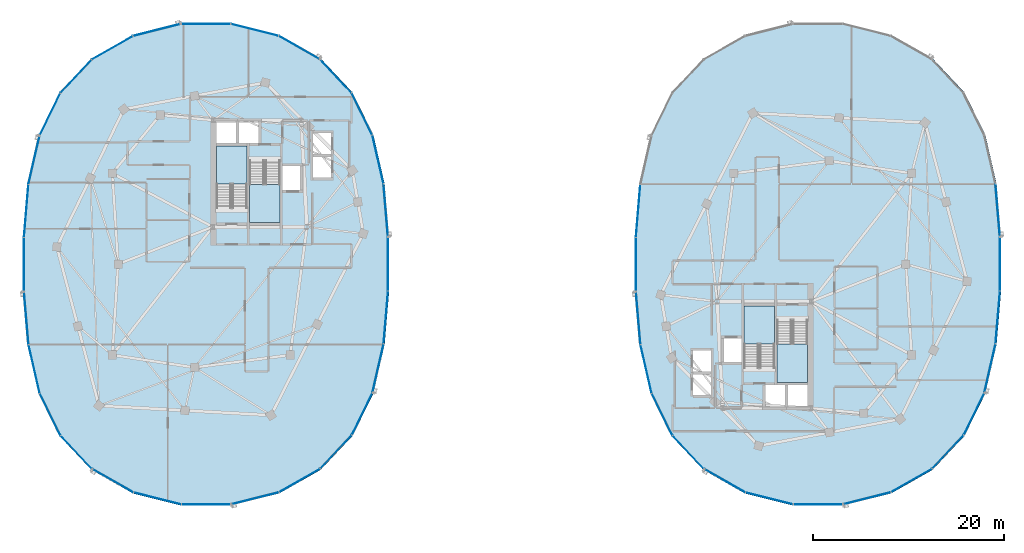
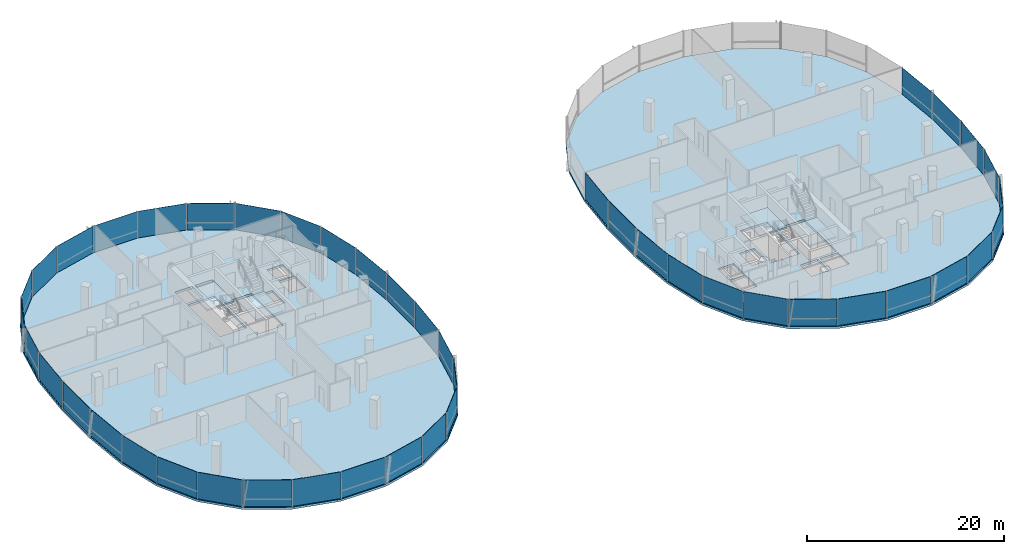
# One storey, part 13 of 25: 45 plates, 6 slabs, 12 elements without a shape of their own.
"""IFC4 building model written with IfcOpenShell, lengths in metres."""

from ifc_helpers import new_model, si_unit, direction, frame, origin, origin_2d, place, context, subcontext, project, spatial, polyline, rectangle, outline, extrude, material, layer, layer_set, type_object, element, aggregate, save


model = new_model("IFC4")

# Units and contexts
model_context = context("Model", 3, precision=1e-05, world=origin(), true_north=direction((0.0, 1.0)))
body_context = subcontext(model_context, "Body", "Model", "MODEL_VIEW")
ifc_project = project(units=[si_unit("LENGTHUNIT", "METRE"), si_unit("AREAUNIT", "SQUARE_METRE"), si_unit("VOLUMEUNIT", "CUBIC_METRE"), si_unit("PLANEANGLEUNIT", "RADIAN"), si_unit("MASSUNIT", "GRAM", prefix="KILO"), si_unit("THERMODYNAMICTEMPERATUREUNIT", "KELVIN"), si_unit("POWERUNIT", "WATT")], contexts=[model_context])

# Site, building, storey
site_placement = place(None, origin())
site = spatial("IfcSite", under=ifc_project, at=site_placement, CompositionType="ELEMENT")
building_placement = place(site_placement, origin())
building = spatial("IfcBuilding", under=site, at=building_placement, Name="Cundina Bronze Exchange", CompositionType="ELEMENT")
storey_placement = place(building_placement, frame((0.0, 0.0, 202.60009765625)))
storey = spatial("IfcBuildingStorey", under=building, at=storey_placement, Name="L53", CompositionType="ELEMENT", Elevation=202.60009765625)

# Curtain wall, plates
ifc_material_1 = material(Name="Anodised Bronze Aluminium 6063-T6", Category="aluminium")
curtain_wall_type = type_object("IfcCurtainWallType", Name="CWS-UPP-OFF", PredefinedType="NOTDEFINED", material=ifc_material_1)
curtain_wall_1_placement = place(storey_placement, origin())
curtain_wall_1 = element("IfcCurtainWall", 1, at=curtain_wall_1_placement, inside=storey, type_object=curtain_wall_type, Name="L53 CW-05 Curtain Wall Run CWR-L53-W1", PredefinedType="NOTDEFINED")
ifc_material_2 = material(Name="Heat-Strengthened Solar-Control Bronze Safety Glass 28mm", Category="glass")
ifc_layer_1 = layer(ifc_material_2, 0.028076171875, Name="Heat-Strengthened Solar-Control Bronze Safety Glass 28mm", Category="glass")
ifc_layer_set_1 = layer_set([ifc_layer_1], Name="Heat-Strengthened Solar-Control Bronze Safety Glass 28mm")
plate_type_1 = type_object("IfcPlateType", Name="PLT-GLZ-VIS28", PredefinedType="CURTAIN_PANEL", material=ifc_layer_set_1)
plate_1_placement = place(storey_placement, frame((-13.198486328125, 5.60693359375, 0.02001953125), z_axis=(0.0, 0.0, 1.0), x_axis=(-0.083747411454, 0.996487015006, 0.0)))
plate_1 = element("IfcPlate", 2, at=plate_1_placement, type_object=plate_type_1, Name="CW-05 Glazed Panel 1", PredefinedType="CURTAIN_PANEL", context=body_context, shape_type="SweptSolid", body=[
    extrude(rectangle(XDim=5.474609375, YDim=0.028076171875, at=origin_2d()), origin(), (0.0, 0.0, 1.0), 3.300048828125),
])
plate_2_placement = place(storey_placement, frame((-15.685302734375, 15.686767578125, 0.02001953125), z_axis=(0.0, 0.0, 1.0), x_axis=(-0.440503330345, 0.897750976582, 0.0)))
plate_2 = element("IfcPlate", 3, at=plate_2_placement, type_object=plate_type_1, Name="CW-05 Glazed Panel 3", PredefinedType="CURTAIN_PANEL", context=body_context, shape_type="SweptSolid", body=[
    extrude(rectangle(XDim=4.863525390625, YDim=0.028076171875, at=origin_2d()), origin(), (0.0, 0.0, 1.0), 3.300048828125),
])
plate_3_placement = place(storey_placement, frame((-18.4208984375, 19.6552734375, 0.02001953125), z_axis=(0.0, 0.0, 1.0), x_axis=(-0.684343512797, 0.72915976061, 0.0)))
plate_3 = element("IfcPlate", 4, at=plate_3_placement, type_object=plate_type_1, Name="CW-05 Glazed Panel 4", PredefinedType="CURTAIN_PANEL", context=body_context, shape_type="SweptSolid", body=[
    extrude(rectangle(XDim=4.773193359375, YDim=0.028076171875, at=origin_2d()), origin(), (0.0, 0.0, 1.0), 3.300048828125),
])
plate_4_placement = place(storey_placement, frame((-22.230712890625, 22.64111328125, 0.02001953125), z_axis=(0.0, 0.0, 1.0), x_axis=(-0.869572506985, 0.493805280547, 0.0)))
plate_4 = element("IfcPlate", 5, at=plate_4_placement, type_object=plate_type_1, Name="CW-05 Glazed Panel 5", PredefinedType="CURTAIN_PANEL", context=body_context, shape_type="SweptSolid", body=[
    extrude(rectangle(XDim=4.907958984375, YDim=0.028076171875, at=origin_2d()), origin(), (0.0, 0.0, 1.0), 3.300048828125),
])
plate_5_placement = place(storey_placement, frame((-26.88720703125, 24.49609375, 0.02001953125), z_axis=(0.0, 0.0, 1.0), x_axis=(-0.969731542251, 0.244173577528, 0.0)))
plate_5 = element("IfcPlate", 6, at=plate_5_placement, type_object=plate_type_1, Name="CW-05 Glazed Panel 6", PredefinedType="CURTAIN_PANEL", context=body_context, shape_type="SweptSolid", body=[
    extrude(rectangle(XDim=5.0908203125, YDim=0.028076171875, at=origin_2d()), origin(), (0.0, 0.0, 1.0), 3.300048828125),
])

curtain_wall_2_placement = place(storey_placement, origin())
curtain_wall_2 = element("IfcCurtainWall", 7, at=curtain_wall_2_placement, inside=storey, type_object=curtain_wall_type, Name="L53 CW-05 Curtain Wall Run CWR-L53-W2", PredefinedType="NOTDEFINED")
plate_6_placement = place(storey_placement, frame((-41.769287109375, 22.64111328125, 0.02001953125), z_axis=(0.0, 0.0, 1.0), x_axis=(-0.869572506985, -0.493805280547, 0.0)))
plate_6 = element("IfcPlate", 8, at=plate_6_placement, type_object=plate_type_1, Name="CW-05 Glazed Panel 2", PredefinedType="CURTAIN_PANEL", context=body_context, shape_type="SweptSolid", body=[
    extrude(rectangle(XDim=4.907958984375, YDim=0.028076171875, at=origin_2d()), origin(), (0.0, 0.0, 1.0), 3.300048828125),
])
plate_7_placement = place(storey_placement, frame((-45.5791015625, 19.6552734375, 0.02001953125), z_axis=(0.0, 0.0, 1.0), x_axis=(-0.684343512797, -0.72915976061, 0.0)))
plate_7 = element("IfcPlate", 9, at=plate_7_placement, type_object=plate_type_1, Name="CW-05 Glazed Panel 3", PredefinedType="CURTAIN_PANEL", context=body_context, shape_type="SweptSolid", body=[
    extrude(rectangle(XDim=4.773193359375, YDim=0.028076171875, at=origin_2d()), origin(), (0.0, 0.0, 1.0), 3.300048828125),
])
plate_8_placement = place(storey_placement, frame((-48.314697265625, 15.686767578125, 0.02001953125), z_axis=(0.0, 0.0, 1.0), x_axis=(-0.440503330345, -0.897750976582, 0.0)))
plate_8 = element("IfcPlate", 10, at=plate_8_placement, type_object=plate_type_1, Name="CW-05 Glazed Panel 4", PredefinedType="CURTAIN_PANEL", context=body_context, shape_type="SweptSolid", body=[
    extrude(rectangle(XDim=4.863525390625, YDim=0.028076171875, at=origin_2d()), origin(), (0.0, 0.0, 1.0), 3.300048828125),
])
plate_9_placement = place(storey_placement, frame((-49.98388671875, 10.92578125, 0.02001953125), z_axis=(0.0, 0.0, 1.0), x_axis=(-0.223284141459, -0.974753400698, 0.0)))
plate_9 = element("IfcPlate", 11, at=plate_9_placement, type_object=plate_type_1, Name="CW-05 Glazed Panel 5", PredefinedType="CURTAIN_PANEL", context=body_context, shape_type="SweptSolid", body=[
    extrude(rectangle(XDim=5.167724609375, YDim=0.028076171875, at=origin_2d()), origin(), (0.0, 0.0, 1.0), 3.300048828125),
])
plate_10_placement = place(storey_placement, frame((-51.033935546875, 0.0, 0.02001953125), z_axis=(0.0, 0.0, 1.0), x_axis=(0.0, -1.0, 0.0)))
plate_10 = element("IfcPlate", 12, at=plate_10_placement, type_object=plate_type_1, Name="CW-05 Glazed Panel 7", PredefinedType="CURTAIN_PANEL", context=body_context, shape_type="SweptSolid", body=[
    extrude(rectangle(XDim=5.597900390625, YDim=0.028076171875, at=origin_2d()), origin(), (0.0, 0.0, 1.0), 3.300048828125),
])

curtain_wall_3_placement = place(storey_placement, origin())
curtain_wall_3 = element("IfcCurtainWall", 13, at=curtain_wall_3_placement, inside=storey, type_object=curtain_wall_type, Name="L53 CW-05 Curtain Wall Run CWR-L53-W3", PredefinedType="NOTDEFINED")
plate_11_placement = place(storey_placement, frame((-50.801513671875, -5.60693359375, 0.02001953125), z_axis=(0.0, 0.0, 1.0), x_axis=(0.083747411454, -0.996487015006, 0.0)))
plate_11 = element("IfcPlate", 14, at=plate_11_placement, type_object=plate_type_1, Name="CW-05 Glazed Panel 1", PredefinedType="CURTAIN_PANEL", context=body_context, shape_type="SweptSolid", body=[
    extrude(rectangle(XDim=5.474609375, YDim=0.028076171875, at=origin_2d()), origin(), (0.0, 0.0, 1.0), 3.300048828125),
])
plate_12_placement = place(storey_placement, frame((-49.98388671875, -10.92578125, 0.02001953125), z_axis=(0.0, 0.0, 1.0), x_axis=(0.223284141459, -0.974753400698, 0.0)))
plate_12 = element("IfcPlate", 15, at=plate_12_placement, type_object=plate_type_1, Name="CW-05 Glazed Panel 2", PredefinedType="CURTAIN_PANEL", context=body_context, shape_type="SweptSolid", body=[
    extrude(rectangle(XDim=5.167724609375, YDim=0.028076171875, at=origin_2d()), origin(), (0.0, 0.0, 1.0), 3.300048828125),
])
plate_13_placement = place(storey_placement, frame((-48.314697265625, -15.686767578125, 0.02001953125), z_axis=(0.0, 0.0, 1.0), x_axis=(0.440503330345, -0.897750976582, 0.0)))
plate_13 = element("IfcPlate", 16, at=plate_13_placement, type_object=plate_type_1, Name="CW-05 Glazed Panel 3", PredefinedType="CURTAIN_PANEL", context=body_context, shape_type="SweptSolid", body=[
    extrude(rectangle(XDim=4.863525390625, YDim=0.028076171875, at=origin_2d()), origin(), (0.0, 0.0, 1.0), 3.300048828125),
])
plate_14_placement = place(storey_placement, frame((-45.5791015625, -19.6552734375, 0.02001953125), z_axis=(0.0, 0.0, 1.0), x_axis=(0.684343512797, -0.72915976061, 0.0)))
plate_14 = element("IfcPlate", 17, at=plate_14_placement, type_object=plate_type_1, Name="CW-05 Glazed Panel 4", PredefinedType="CURTAIN_PANEL", context=body_context, shape_type="SweptSolid", body=[
    extrude(rectangle(XDim=4.773193359375, YDim=0.028076171875, at=origin_2d()), origin(), (0.0, 0.0, 1.0), 3.300048828125),
])
plate_15_placement = place(storey_placement, frame((-37.11279296875, -24.49609375, 0.02001953125), z_axis=(0.0, 0.0, 1.0), x_axis=(0.969731542251, -0.244173577528, 0.0)))
plate_15 = element("IfcPlate", 18, at=plate_15_placement, type_object=plate_type_1, Name="CW-05 Glazed Panel 6", PredefinedType="CURTAIN_PANEL", context=body_context, shape_type="SweptSolid", body=[
    extrude(rectangle(XDim=5.0908203125, YDim=0.028076171875, at=origin_2d()), origin(), (0.0, 0.0, 1.0), 3.300048828125),
])
plate_16_placement = place(storey_placement, frame((-32.0, -25.125, 0.02001953125), z_axis=(0.0, 0.0, 1.0), x_axis=(1.0, 0.0, 0.0)))
plate_16 = element("IfcPlate", 19, at=plate_16_placement, type_object=plate_type_1, Name="CW-05 Glazed Panel 7", PredefinedType="CURTAIN_PANEL", context=body_context, shape_type="SweptSolid", body=[
    extrude(rectangle(XDim=5.16796875, YDim=0.028076171875, at=origin_2d()), origin(), (0.0, 0.0, 1.0), 3.300048828125),
])

curtain_wall_4_placement = place(storey_placement, origin())
curtain_wall_4 = element("IfcCurtainWall", 20, at=curtain_wall_4_placement, inside=storey, type_object=curtain_wall_type, Name="L53 CW-05 Curtain Wall Run CWR-L53-W4", PredefinedType="NOTDEFINED")
plate_17_placement = place(storey_placement, frame((-26.88720703125, -24.49609375, 0.02001953125), z_axis=(0.0, 0.0, 1.0), x_axis=(0.969731542251, 0.244173577528, 0.0)))
plate_17 = element("IfcPlate", 21, at=plate_17_placement, type_object=plate_type_1, Name="CW-05 Glazed Panel 1", PredefinedType="CURTAIN_PANEL", context=body_context, shape_type="SweptSolid", body=[
    extrude(rectangle(XDim=5.0908203125, YDim=0.028076171875, at=origin_2d()), origin(), (0.0, 0.0, 1.0), 3.300048828125),
])
plate_18_placement = place(storey_placement, frame((-22.230712890625, -22.64111328125, 0.02001953125), z_axis=(0.0, 0.0, 1.0), x_axis=(0.869572506985, 0.493805280547, 0.0)))
plate_18 = element("IfcPlate", 22, at=plate_18_placement, type_object=plate_type_1, Name="CW-05 Glazed Panel 2", PredefinedType="CURTAIN_PANEL", context=body_context, shape_type="SweptSolid", body=[
    extrude(rectangle(XDim=4.907958984375, YDim=0.028076171875, at=origin_2d()), origin(), (0.0, 0.0, 1.0), 3.300048828125),
])
plate_19_placement = place(storey_placement, frame((-18.4208984375, -19.6552734375, 0.02001953125), z_axis=(0.0, 0.0, 1.0), x_axis=(0.684343512797, 0.72915976061, 0.0)))
plate_19 = element("IfcPlate", 23, at=plate_19_placement, type_object=plate_type_1, Name="CW-05 Glazed Panel 3", PredefinedType="CURTAIN_PANEL", context=body_context, shape_type="SweptSolid", body=[
    extrude(rectangle(XDim=4.773193359375, YDim=0.028076171875, at=origin_2d()), origin(), (0.0, 0.0, 1.0), 3.300048828125),
])
plate_20_placement = place(storey_placement, frame((-14.01611328125, -10.92578125, 0.02001953125), z_axis=(0.0, 0.0, 1.0), x_axis=(0.223284141459, 0.974753400698, 0.0)))
plate_20 = element("IfcPlate", 24, at=plate_20_placement, type_object=plate_type_1, Name="CW-05 Glazed Panel 5", PredefinedType="CURTAIN_PANEL", context=body_context, shape_type="SweptSolid", body=[
    extrude(rectangle(XDim=5.167724609375, YDim=0.028076171875, at=origin_2d()), origin(), (0.0, 0.0, 1.0), 3.300048828125),
])
plate_21_placement = place(storey_placement, frame((-13.198486328125, -5.60693359375, 0.02001953125), z_axis=(0.0, 0.0, 1.0), x_axis=(0.083747411454, 0.996487015006, 0.0)))
plate_21 = element("IfcPlate", 25, at=plate_21_placement, type_object=plate_type_1, Name="CW-05 Glazed Panel 6", PredefinedType="CURTAIN_PANEL", context=body_context, shape_type="SweptSolid", body=[
    extrude(rectangle(XDim=5.474609375, YDim=0.028076171875, at=origin_2d()), origin(), (0.0, 0.0, 1.0), 3.300048828125),
])
plate_22_placement = place(storey_placement, frame((-12.966064453125, 0.0, 0.02001953125), z_axis=(0.0, 0.0, 1.0), x_axis=(0.0, 1.0, 0.0)))
plate_22 = element("IfcPlate", 26, at=plate_22_placement, type_object=plate_type_1, Name="CW-05 Glazed Panel 7", PredefinedType="CURTAIN_PANEL", context=body_context, shape_type="SweptSolid", body=[
    extrude(rectangle(XDim=5.597900390625, YDim=0.028076171875, at=origin_2d()), origin(), (0.0, 0.0, 1.0), 3.300048828125),
])

# Curtain wall, plate
curtain_wall_5_placement = place(storey_placement, origin())
curtain_wall_5 = element("IfcCurtainWall", 27, at=curtain_wall_5_placement, inside=storey, type_object=curtain_wall_type, Name="L53 CW-05 Curtain Wall Run CWR-L53-E1", PredefinedType="NOTDEFINED")
plate_23_placement = place(storey_placement, frame((50.801513671875, 5.60693359375, 0.02001953125), z_axis=(0.0, 0.0, 1.0), x_axis=(-0.083747411454, 0.996487015006, 0.0)))
plate_23 = element("IfcPlate", 28, at=plate_23_placement, type_object=plate_type_1, Name="CW-05 Glazed Panel 1", PredefinedType="CURTAIN_PANEL", context=body_context, shape_type="SweptSolid", body=[
    extrude(rectangle(XDim=5.474609375, YDim=0.028076171875, at=origin_2d()), origin(), (0.0, 0.0, 1.0), 3.300048828125),
])
aggregate(curtain_wall_5, [plate_23])

curtain_wall_6_placement = place(storey_placement, origin())
curtain_wall_6 = element("IfcCurtainWall", 29, at=curtain_wall_6_placement, inside=storey, type_object=curtain_wall_type, Name="L53 CW-05 Curtain Wall Run CWR-L53-E2", PredefinedType="NOTDEFINED")
plate_24_placement = place(storey_placement, frame((12.966064453125, 0.0, 0.02001953125), z_axis=(0.0, 0.0, 1.0), x_axis=(0.0, -1.0, 0.0)))
plate_24 = element("IfcPlate", 30, at=plate_24_placement, type_object=plate_type_1, Name="CW-05 Glazed Panel 7", PredefinedType="CURTAIN_PANEL", context=body_context, shape_type="SweptSolid", body=[
    extrude(rectangle(XDim=5.597900390625, YDim=0.028076171875, at=origin_2d()), origin(), (0.0, 0.0, 1.0), 3.300048828125),
])

# Curtain wall, plates
curtain_wall_7_placement = place(storey_placement, origin())
curtain_wall_7 = element("IfcCurtainWall", 31, at=curtain_wall_7_placement, inside=storey, type_object=curtain_wall_type, Name="L53 CW-05 Curtain Wall Run CWR-L53-E3", PredefinedType="NOTDEFINED")
plate_25_placement = place(storey_placement, frame((13.198486328125, -5.60693359375, 0.02001953125), z_axis=(0.0, 0.0, 1.0), x_axis=(0.083747411454, -0.996487015006, 0.0)))
plate_25 = element("IfcPlate", 32, at=plate_25_placement, type_object=plate_type_1, Name="CW-05 Glazed Panel 1", PredefinedType="CURTAIN_PANEL", context=body_context, shape_type="SweptSolid", body=[
    extrude(rectangle(XDim=5.474609375, YDim=0.028076171875, at=origin_2d()), origin(), (0.0, 0.0, 1.0), 3.300048828125),
])
plate_26_placement = place(storey_placement, frame((14.01611328125, -10.92578125, 0.02001953125), z_axis=(0.0, 0.0, 1.0), x_axis=(0.223284141459, -0.974753400698, 0.0)))
plate_26 = element("IfcPlate", 33, at=plate_26_placement, type_object=plate_type_1, Name="CW-05 Glazed Panel 2", PredefinedType="CURTAIN_PANEL", context=body_context, shape_type="SweptSolid", body=[
    extrude(rectangle(XDim=5.167724609375, YDim=0.028076171875, at=origin_2d()), origin(), (0.0, 0.0, 1.0), 3.300048828125),
])
plate_27_placement = place(storey_placement, frame((15.685302734375, -15.686767578125, 0.02001953125), z_axis=(0.0, 0.0, 1.0), x_axis=(0.440503330345, -0.897750976582, 0.0)))
plate_27 = element("IfcPlate", 34, at=plate_27_placement, type_object=plate_type_1, Name="CW-05 Glazed Panel 3", PredefinedType="CURTAIN_PANEL", context=body_context, shape_type="SweptSolid", body=[
    extrude(rectangle(XDim=4.863525390625, YDim=0.028076171875, at=origin_2d()), origin(), (0.0, 0.0, 1.0), 3.300048828125),
])
plate_28_placement = place(storey_placement, frame((18.4208984375, -19.6552734375, 0.02001953125), z_axis=(0.0, 0.0, 1.0), x_axis=(0.684343512797, -0.72915976061, 0.0)))
plate_28 = element("IfcPlate", 35, at=plate_28_placement, type_object=plate_type_1, Name="CW-05 Glazed Panel 4", PredefinedType="CURTAIN_PANEL", context=body_context, shape_type="SweptSolid", body=[
    extrude(rectangle(XDim=4.773193359375, YDim=0.028076171875, at=origin_2d()), origin(), (0.0, 0.0, 1.0), 3.300048828125),
])
plate_29_placement = place(storey_placement, frame((26.88720703125, -24.49609375, 0.02001953125), z_axis=(0.0, 0.0, 1.0), x_axis=(0.969731542251, -0.244173577528, 0.0)))
plate_29 = element("IfcPlate", 36, at=plate_29_placement, type_object=plate_type_1, Name="CW-05 Glazed Panel 6", PredefinedType="CURTAIN_PANEL", context=body_context, shape_type="SweptSolid", body=[
    extrude(rectangle(XDim=5.0908203125, YDim=0.028076171875, at=origin_2d()), origin(), (0.0, 0.0, 1.0), 3.300048828125),
])
plate_30_placement = place(storey_placement, frame((32.0, -25.125, 0.02001953125), z_axis=(0.0, 0.0, 1.0), x_axis=(1.0, 0.0, 0.0)))
plate_30 = element("IfcPlate", 37, at=plate_30_placement, type_object=plate_type_1, Name="CW-05 Glazed Panel 7", PredefinedType="CURTAIN_PANEL", context=body_context, shape_type="SweptSolid", body=[
    extrude(rectangle(XDim=5.16796875, YDim=0.028076171875, at=origin_2d()), origin(), (0.0, 0.0, 1.0), 3.300048828125),
])

curtain_wall_8_placement = place(storey_placement, origin())
curtain_wall_8 = element("IfcCurtainWall", 38, at=curtain_wall_8_placement, inside=storey, type_object=curtain_wall_type, Name="L53 CW-05 Curtain Wall Run CWR-L53-E4", PredefinedType="NOTDEFINED")
plate_31_placement = place(storey_placement, frame((37.11279296875, -24.49609375, 0.02001953125), z_axis=(0.0, 0.0, 1.0), x_axis=(0.969731542251, 0.244173577528, 0.0)))
plate_31 = element("IfcPlate", 39, at=plate_31_placement, type_object=plate_type_1, Name="CW-05 Glazed Panel 1", PredefinedType="CURTAIN_PANEL", context=body_context, shape_type="SweptSolid", body=[
    extrude(rectangle(XDim=5.0908203125, YDim=0.028076171875, at=origin_2d()), origin(), (0.0, 0.0, 1.0), 3.300048828125),
])
plate_32_placement = place(storey_placement, frame((41.769287109375, -22.64111328125, 0.02001953125), z_axis=(0.0, 0.0, 1.0), x_axis=(0.869572506985, 0.493805280547, 0.0)))
plate_32 = element("IfcPlate", 40, at=plate_32_placement, type_object=plate_type_1, Name="CW-05 Glazed Panel 2", PredefinedType="CURTAIN_PANEL", context=body_context, shape_type="SweptSolid", body=[
    extrude(rectangle(XDim=4.907958984375, YDim=0.028076171875, at=origin_2d()), origin(), (0.0, 0.0, 1.0), 3.300048828125),
])
plate_33_placement = place(storey_placement, frame((45.5791015625, -19.6552734375, 0.02001953125), z_axis=(0.0, 0.0, 1.0), x_axis=(0.684343512797, 0.72915976061, 0.0)))
plate_33 = element("IfcPlate", 41, at=plate_33_placement, type_object=plate_type_1, Name="CW-05 Glazed Panel 3", PredefinedType="CURTAIN_PANEL", context=body_context, shape_type="SweptSolid", body=[
    extrude(rectangle(XDim=4.773193359375, YDim=0.028076171875, at=origin_2d()), origin(), (0.0, 0.0, 1.0), 3.300048828125),
])
plate_34_placement = place(storey_placement, frame((49.98388671875, -10.92578125, 0.02001953125), z_axis=(0.0, 0.0, 1.0), x_axis=(0.223284141459, 0.974753400698, 0.0)))
plate_34 = element("IfcPlate", 42, at=plate_34_placement, type_object=plate_type_1, Name="CW-05 Glazed Panel 5", PredefinedType="CURTAIN_PANEL", context=body_context, shape_type="SweptSolid", body=[
    extrude(rectangle(XDim=5.167724609375, YDim=0.028076171875, at=origin_2d()), origin(), (0.0, 0.0, 1.0), 3.300048828125),
])
plate_35_placement = place(storey_placement, frame((50.801513671875, -5.60693359375, 0.02001953125), z_axis=(0.0, 0.0, 1.0), x_axis=(0.083747411454, 0.996487015006, 0.0)))
plate_35 = element("IfcPlate", 43, at=plate_35_placement, type_object=plate_type_1, Name="CW-05 Glazed Panel 6", PredefinedType="CURTAIN_PANEL", context=body_context, shape_type="SweptSolid", body=[
    extrude(rectangle(XDim=5.474609375, YDim=0.028076171875, at=origin_2d()), origin(), (0.0, 0.0, 1.0), 3.300048828125),
])
plate_36_placement = place(storey_placement, frame((51.033935546875, 0.0, 0.02001953125), z_axis=(0.0, 0.0, 1.0), x_axis=(0.0, 1.0, 0.0)))
plate_36 = element("IfcPlate", 44, at=plate_36_placement, type_object=plate_type_1, Name="CW-05 Glazed Panel 7", PredefinedType="CURTAIN_PANEL", context=body_context, shape_type="SweptSolid", body=[
    extrude(rectangle(XDim=5.597900390625, YDim=0.028076171875, at=origin_2d()), origin(), (0.0, 0.0, 1.0), 3.300048828125),
])

# Plate
ifc_material_3 = material(Name="Dark Bronze Spandrel Glass Panel 32mm", Category="glass")
ifc_layer_2 = layer(ifc_material_3, 0.031982421875, Name="Dark Bronze Spandrel Glass Panel 32mm", Category="glass")
ifc_layer_set_2 = layer_set([ifc_layer_2], Name="Dark Bronze Spandrel Glass Panel 32mm")
plate_type_2 = type_object("IfcPlateType", Name="PLT-SPN-BRZ32", PredefinedType="CURTAIN_PANEL", material=ifc_layer_set_2)
plate_37_placement = place(storey_placement, frame((-14.01611328125, 10.92578125, 0.02001953125), z_axis=(0.0, 0.0, 1.0), x_axis=(-0.223284141459, 0.974753400698, 0.0)))
plate_37 = element("IfcPlate", 45, at=plate_37_placement, type_object=plate_type_2, Name="CW-05 Glazed Panel 2", PredefinedType="CURTAIN_PANEL", context=body_context, shape_type="SweptSolid", body=[
    extrude(rectangle(XDim=5.167724609375, YDim=0.031982421875, at=origin_2d()), origin(), (0.0, 0.0, 1.0), 3.300048828125),
])

plate_38_placement = place(storey_placement, frame((-32.0, 25.125, 0.02001953125), z_axis=(0.0, 0.0, 1.0), x_axis=(-1.0, 0.0, 0.0)))
plate_38 = element("IfcPlate", 46, at=plate_38_placement, type_object=plate_type_2, Name="CW-05 Glazed Panel 7", PredefinedType="CURTAIN_PANEL", context=body_context, shape_type="SweptSolid", body=[
    extrude(rectangle(XDim=5.16796875, YDim=0.031982421875, at=origin_2d()), origin(), (0.0, 0.0, 1.0), 3.300048828125),
])

aggregate(curtain_wall_1, [plate_1, plate_37, plate_2, plate_3, plate_4, plate_5, plate_38])

plate_39_placement = place(storey_placement, frame((-37.11279296875, 24.49609375, 0.02001953125), z_axis=(0.0, 0.0, 1.0), x_axis=(-0.969731542251, -0.244173577528, 0.0)))
plate_39 = element("IfcPlate", 47, at=plate_39_placement, type_object=plate_type_2, Name="CW-05 Glazed Panel 1", PredefinedType="CURTAIN_PANEL", context=body_context, shape_type="SweptSolid", body=[
    extrude(rectangle(XDim=5.0908203125, YDim=0.031982421875, at=origin_2d()), origin(), (0.0, 0.0, 1.0), 3.300048828125),
])

plate_40_placement = place(storey_placement, frame((-50.801513671875, 5.60693359375, 0.02001953125), z_axis=(0.0, 0.0, 1.0), x_axis=(-0.083747411454, -0.996487015006, 0.0)))
plate_40 = element("IfcPlate", 48, at=plate_40_placement, type_object=plate_type_2, Name="CW-05 Glazed Panel 6", PredefinedType="CURTAIN_PANEL", context=body_context, shape_type="SweptSolid", body=[
    extrude(rectangle(XDim=5.474609375, YDim=0.031982421875, at=origin_2d()), origin(), (0.0, 0.0, 1.0), 3.300048828125),
])

aggregate(curtain_wall_2, [plate_39, plate_6, plate_7, plate_8, plate_9, plate_40, plate_10])

plate_41_placement = place(storey_placement, frame((-41.769287109375, -22.64111328125, 0.02001953125), z_axis=(0.0, 0.0, 1.0), x_axis=(0.869572506985, -0.493805280547, 0.0)))
plate_41 = element("IfcPlate", 49, at=plate_41_placement, type_object=plate_type_2, Name="CW-05 Glazed Panel 5", PredefinedType="CURTAIN_PANEL", context=body_context, shape_type="SweptSolid", body=[
    extrude(rectangle(XDim=4.907958984375, YDim=0.031982421875, at=origin_2d()), origin(), (0.0, 0.0, 1.0), 3.300048828125),
])

aggregate(curtain_wall_3, [plate_11, plate_12, plate_13, plate_14, plate_41, plate_15, plate_16])

plate_42_placement = place(storey_placement, frame((-15.685302734375, -15.686767578125, 0.02001953125), z_axis=(0.0, 0.0, 1.0), x_axis=(0.440503330345, 0.897750976582, 0.0)))
plate_42 = element("IfcPlate", 50, at=plate_42_placement, type_object=plate_type_2, Name="CW-05 Glazed Panel 4", PredefinedType="CURTAIN_PANEL", context=body_context, shape_type="SweptSolid", body=[
    extrude(rectangle(XDim=4.863525390625, YDim=0.031982421875, at=origin_2d()), origin(), (0.0, 0.0, 1.0), 3.300048828125),
])

aggregate(curtain_wall_4, [plate_17, plate_18, plate_19, plate_42, plate_20, plate_21, plate_22])

plate_43_placement = place(storey_placement, frame((13.198486328125, 5.60693359375, 0.02001953125), z_axis=(0.0, 0.0, 1.0), x_axis=(-0.083747411454, -0.996487015006, 0.0)))
plate_43 = element("IfcPlate", 51, at=plate_43_placement, type_object=plate_type_2, Name="CW-05 Glazed Panel 6", PredefinedType="CURTAIN_PANEL", context=body_context, shape_type="SweptSolid", body=[
    extrude(rectangle(XDim=5.474609375, YDim=0.031982421875, at=origin_2d()), origin(), (0.0, 0.0, 1.0), 3.300048828125),
])

aggregate(curtain_wall_6, [plate_43, plate_24])

plate_44_placement = place(storey_placement, frame((22.230712890625, -22.64111328125, 0.02001953125), z_axis=(0.0, 0.0, 1.0), x_axis=(0.869572506985, -0.493805280547, 0.0)))
plate_44 = element("IfcPlate", 52, at=plate_44_placement, type_object=plate_type_2, Name="CW-05 Glazed Panel 5", PredefinedType="CURTAIN_PANEL", context=body_context, shape_type="SweptSolid", body=[
    extrude(rectangle(XDim=4.907958984375, YDim=0.031982421875, at=origin_2d()), origin(), (0.0, 0.0, 1.0), 3.300048828125),
])

aggregate(curtain_wall_7, [plate_25, plate_26, plate_27, plate_28, plate_44, plate_29, plate_30])

plate_45_placement = place(storey_placement, frame((48.314697265625, -15.686767578125, 0.02001953125), z_axis=(0.0, 0.0, 1.0), x_axis=(0.440503330345, 0.897750976582, 0.0)))
plate_45 = element("IfcPlate", 53, at=plate_45_placement, type_object=plate_type_2, Name="CW-05 Glazed Panel 4", PredefinedType="CURTAIN_PANEL", context=body_context, shape_type="SweptSolid", body=[
    extrude(rectangle(XDim=4.863525390625, YDim=0.031982421875, at=origin_2d()), origin(), (0.0, 0.0, 1.0), 3.300048828125),
])

aggregate(curtain_wall_8, [plate_31, plate_32, plate_33, plate_45, plate_34, plate_35, plate_36])

# Stair, slab
ifc_material_4 = material(Name="Concrete C40/50", Category="concrete")
stair_type = type_object("IfcStairType", Name="STR-OFF-360", PredefinedType="HALF_TURN_STAIR", material=ifc_material_4)
stair_1_placement = place(storey_placement, origin())
stair_1 = element("IfcStair", 54, at=stair_1_placement, inside=storey, type_object=stair_type, Name="L53 Smokeproof Exit Stair W1", PredefinedType="HALF_TURN_STAIR")
ifc_layer_3 = layer(ifc_material_4, 0.199951171875, Name="Concrete C40/50", Category="concrete")
ifc_layer_set_3 = layer_set([ifc_layer_3], Name="Concrete C40/50")
slab_type_1 = type_object("IfcSlabType", Name="SLB-LND-200", PredefinedType="LANDING", material=ifc_layer_set_3)
slab_1_placement = place(storey_placement, frame((0.0, 0.0, 1.599853515625)))
slab_1 = element("IfcSlab", 55, at=slab_1_placement, type_object=slab_type_1, Name="ST-W1 landing 1", PredefinedType="LANDING", context=body_context, shape_type="SweptSolid", body=[
    extrude(outline(polyline([(-27.739990234375, 8.3701171875), (-27.739990234375, 12.35009765625), (-30.89990234375, 12.35009765625), (-30.89990234375, 8.3701171875), (-27.739990234375, 8.3701171875)])), origin(), (0.0, 0.0, 1.0), 0.199951171875),
])
aggregate(stair_1, [slab_1])

stair_2_placement = place(storey_placement, origin())
stair_2 = element("IfcStair", 56, at=stair_2_placement, inside=storey, type_object=stair_type, Name="L53 Smokeproof Exit Stair W2", PredefinedType="HALF_TURN_STAIR")
slab_2_placement = place(storey_placement, frame((0.0, 0.0, 1.599853515625)))
slab_2 = element("IfcSlab", 57, at=slab_2_placement, type_object=slab_type_1, Name="ST-W2 landing 1", PredefinedType="LANDING", context=body_context, shape_type="SweptSolid", body=[
    extrude(outline(polyline([(-27.43994140625, 8.330078125), (-27.43994140625, 4.35009765625), (-24.280029296875, 4.35009765625), (-24.280029296875, 8.330078125), (-27.43994140625, 8.330078125)])), origin(), (0.0, 0.0, 1.0), 0.199951171875),
])
aggregate(stair_2, [slab_2])

stair_3_placement = place(storey_placement, origin())
stair_3 = element("IfcStair", 58, at=stair_3_placement, inside=storey, type_object=stair_type, Name="L53 Smokeproof Exit Stair E1", PredefinedType="HALF_TURN_STAIR")
slab_3_placement = place(storey_placement, frame((0.0, 0.0, 1.599853515625)))
slab_3 = element("IfcSlab", 59, at=slab_3_placement, type_object=slab_type_1, Name="ST-E1 landing 1", PredefinedType="LANDING", context=body_context, shape_type="SweptSolid", body=[
    extrude(outline(polyline([(27.739990234375, -8.3701171875), (27.739990234375, -12.35009765625), (30.89990234375, -12.35009765625), (30.89990234375, -8.3701171875), (27.739990234375, -8.3701171875)])), origin(), (0.0, 0.0, 1.0), 0.199951171875),
])
aggregate(stair_3, [slab_3])

stair_4_placement = place(storey_placement, origin())
stair_4 = element("IfcStair", 60, at=stair_4_placement, inside=storey, type_object=stair_type, Name="L53 Smokeproof Exit Stair E2", PredefinedType="HALF_TURN_STAIR")
slab_4_placement = place(storey_placement, frame((0.0, 0.0, 1.599853515625)))
slab_4 = element("IfcSlab", 61, at=slab_4_placement, type_object=slab_type_1, Name="ST-E2 landing 1", PredefinedType="LANDING", context=body_context, shape_type="SweptSolid", body=[
    extrude(outline(polyline([(27.43994140625, -8.330078125), (27.43994140625, -4.35009765625), (24.280029296875, -4.35009765625), (24.280029296875, -8.330078125), (27.43994140625, -8.330078125)])), origin(), (0.0, 0.0, 1.0), 0.199951171875),
])
aggregate(stair_4, [slab_4])

# Slabs
ifc_material_5 = material(Name="Concrete C50/60", Category="concrete")
ifc_layer_4 = layer(ifc_material_5, 0.260009765625, Name="Concrete C50/60", Category="concrete")
ifc_layer_set_4 = layer_set([ifc_layer_4], Name="Concrete C50/60")
slab_type_2 = type_object("IfcSlabType", Name="SLB-OFF-260", PredefinedType="FLOOR", material=ifc_layer_set_4)
slab_5_placement = place(storey_placement, frame((0.0, 0.0, -0.260009765625)))
element("IfcSlab", 62, at=slab_5_placement, inside=storey, type_object=slab_type_2, Name="L53 Leg W Structural Floor Slab", PredefinedType="FLOOR", context=body_context, shape_type="SweptSolid", body=[
    extrude(outline(polyline([(-12.85107421875, 2.843994140625), (-13.31689453125, 8.388916015625), (-14.490966796875, 13.513916015625), (-16.673095703125, 17.9609375), (-20.0009765625, 21.507080078125), (-24.346923828125, 23.97509765625), (-29.37109375, 25.239990234375), (-34.62890625, 25.239990234375), (-39.653076171875, 23.97509765625), (-43.9990234375, 21.507080078125), (-47.326904296875, 17.9609375), (-49.509033203125, 13.513916015625), (-50.68310546875, 8.388916015625), (-51.14892578125, 2.843994140625), (-51.14892578125, -2.843994140625), (-50.68310546875, -8.388916015625), (-49.509033203125, -13.513916015625), (-47.326904296875, -17.9609375), (-43.9990234375, -21.507080078125), (-39.653076171875, -23.97509765625), (-34.62890625, -25.239990234375), (-29.37109375, -25.239990234375), (-24.346923828125, -23.97509765625), (-20.0009765625, -21.507080078125), (-16.673095703125, -17.9609375), (-14.490966796875, -13.513916015625), (-13.31689453125, -8.388916015625), (-12.85107421875, -2.843994140625), (-12.85107421875, 2.843994140625)]), holes=[polyline([(-27.739990234375, 5.85009765625), (-27.739990234375, 12.35009765625), (-30.89990234375, 12.35009765625), (-30.89990234375, 5.85009765625), (-27.739990234375, 5.85009765625)]), polyline([(-27.43994140625, 10.85009765625), (-27.43994140625, 4.35009765625), (-24.280029296875, 4.35009765625), (-24.280029296875, 10.85009765625), (-27.43994140625, 10.85009765625)]), polyline([(-23.97998046875, 10.25), (-22.179931640625, 10.25), (-22.179931640625, 7.75), (-23.97998046875, 7.75), (-23.97998046875, 10.25)]), polyline([(-30.89990234375, 14.949951171875), (-28.85009765625, 14.949951171875), (-28.85009765625, 12.64990234375), (-30.89990234375, 12.64990234375), (-30.89990234375, 14.949951171875)]), polyline([(-28.550048828125, 14.949951171875), (-26.5, 14.949951171875), (-26.5, 12.64990234375), (-28.550048828125, 12.64990234375), (-28.550048828125, 14.949951171875)]), polyline([(-20.800048828125, 13.699951171875), (-18.949951171875, 13.699951171875), (-18.949951171875, 11.449951171875), (-20.800048828125, 11.449951171875), (-20.800048828125, 13.699951171875)]), polyline([(-20.800048828125, 11.300048828125), (-18.949951171875, 11.300048828125), (-18.949951171875, 9.050048828125), (-20.800048828125, 9.050048828125), (-20.800048828125, 11.300048828125)])]), origin(), (0.0, 0.0, 1.0), 0.260009765625),
])
slab_6_placement = place(storey_placement, frame((0.0, 0.0, -0.260009765625)))
element("IfcSlab", 63, at=slab_6_placement, inside=storey, type_object=slab_type_2, Name="L53 Leg E Structural Floor Slab", PredefinedType="FLOOR", context=body_context, shape_type="SweptSolid", body=[
    extrude(outline(polyline([(51.14892578125, 2.843994140625), (50.68310546875, 8.388916015625), (49.509033203125, 13.513916015625), (47.326904296875, 17.9609375), (43.9990234375, 21.507080078125), (39.653076171875, 23.97509765625), (34.62890625, 25.239990234375), (29.37109375, 25.239990234375), (24.346923828125, 23.97509765625), (20.0009765625, 21.507080078125), (16.673095703125, 17.9609375), (14.490966796875, 13.513916015625), (13.31689453125, 8.388916015625), (12.85107421875, 2.843994140625), (12.85107421875, -2.843994140625), (13.31689453125, -8.388916015625), (14.490966796875, -13.513916015625), (16.673095703125, -17.9609375), (20.0009765625, -21.507080078125), (24.346923828125, -23.97509765625), (29.37109375, -25.239990234375), (34.62890625, -25.239990234375), (39.653076171875, -23.97509765625), (43.9990234375, -21.507080078125), (47.326904296875, -17.9609375), (49.509033203125, -13.513916015625), (50.68310546875, -8.388916015625), (51.14892578125, -2.843994140625), (51.14892578125, 2.843994140625)]), holes=[polyline([(27.739990234375, -5.85009765625), (27.739990234375, -12.35009765625), (30.89990234375, -12.35009765625), (30.89990234375, -5.85009765625), (27.739990234375, -5.85009765625)]), polyline([(27.43994140625, -10.85009765625), (27.43994140625, -4.35009765625), (24.280029296875, -4.35009765625), (24.280029296875, -10.85009765625), (27.43994140625, -10.85009765625)]), polyline([(22.179931640625, -7.75), (23.97998046875, -7.75), (23.97998046875, -10.25), (22.179931640625, -10.25), (22.179931640625, -7.75)]), polyline([(28.85009765625, -12.64990234375), (30.89990234375, -12.64990234375), (30.89990234375, -14.949951171875), (28.85009765625, -14.949951171875), (28.85009765625, -12.64990234375)]), polyline([(26.5, -12.64990234375), (28.550048828125, -12.64990234375), (28.550048828125, -14.949951171875), (26.5, -14.949951171875), (26.5, -12.64990234375)]), polyline([(18.949951171875, -11.449951171875), (20.800048828125, -11.449951171875), (20.800048828125, -13.699951171875), (18.949951171875, -13.699951171875), (18.949951171875, -11.449951171875)]), polyline([(18.949951171875, -9.050048828125), (20.800048828125, -9.050048828125), (20.800048828125, -11.300048828125), (18.949951171875, -11.300048828125), (18.949951171875, -9.050048828125)])]), origin(), (0.0, 0.0, 1.0), 0.260009765625),
])

save(model, "model.ifc")
